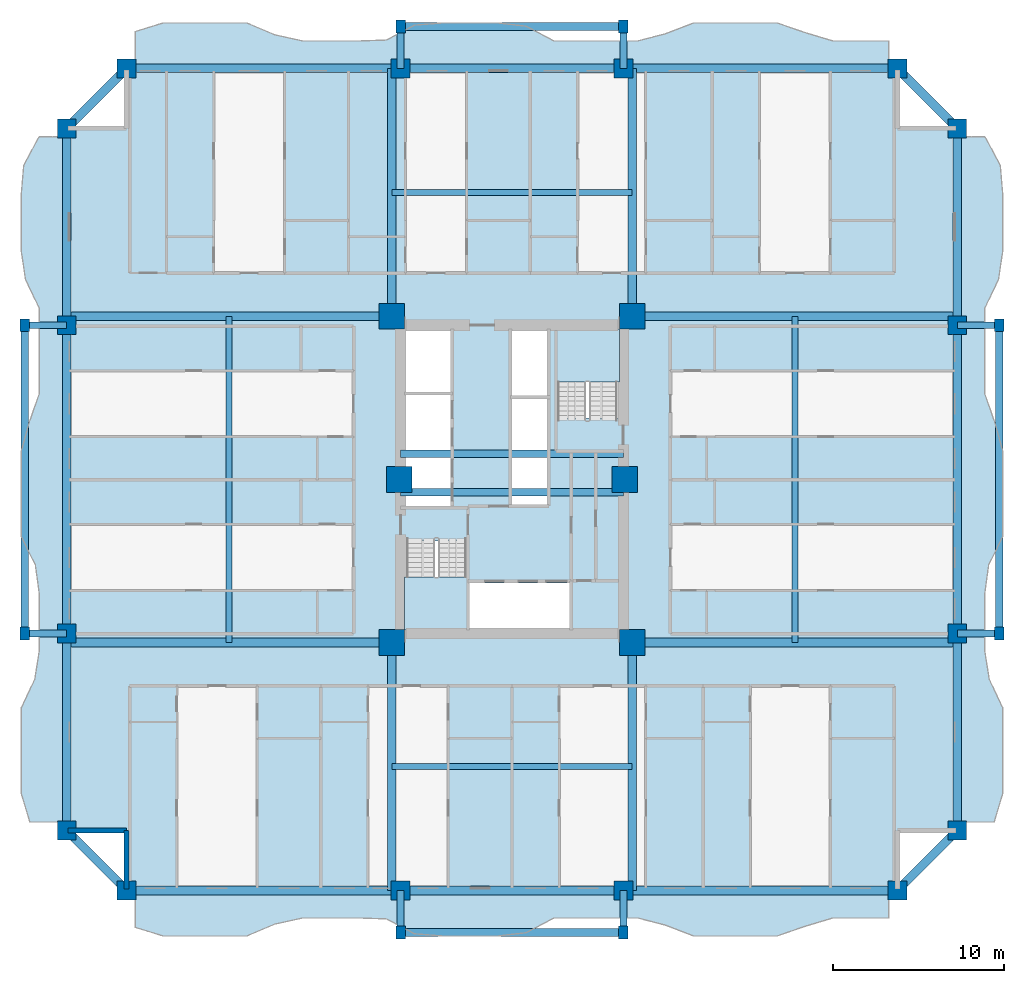
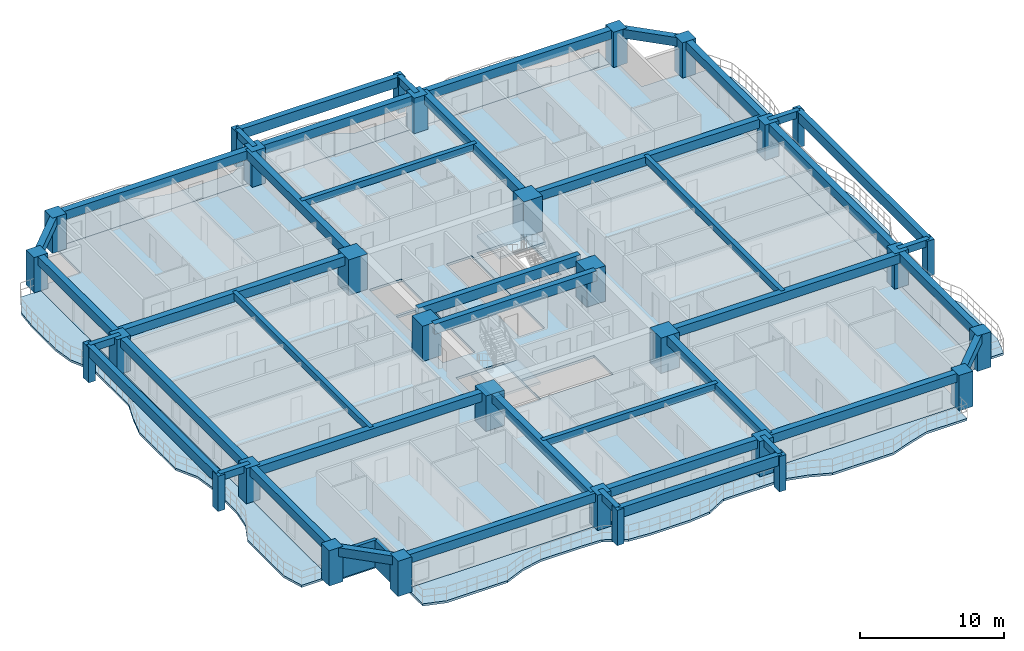
# One storey, part 1 of 16: 42 beams, 30 columns, 7 slabs, 2 walls, 2 elements without a shape of their own.
"""IFC4 building model written with IfcOpenShell, lengths in metres."""

import ifcopenshell
import ifcopenshell.guid

model = None  # the IFC model being written
_history = None  # IfcOwnerHistory: only IFC2X3 demands one
_inside = {}  # id of a spatial element -> (the spatial element, [elements in it])
_under = {}  # id of a project, library or spatial element -> (it, [spatial elements below it])
_declared = {}  # id of a project -> (the project, [libraries it declares])
_typed = {}  # id of a type object -> (the type object, [elements of that type])
_made_of = {}  # id of a material, layer set ... -> (it, [elements and type objects made of it])


def new_model(schema):
    """Start an empty IFC model of exactly this schema.

    Asked for "IFC4X3", IfcOpenShell would pick the latest addendum, in which some entities
    have other attributes; the version numbers below select the first issue.
    IFC2X3 requires an IfcOwnerHistory on every rooted entity: one is made here for all.
    """
    global model, _history
    if schema == "IFC4X3":
        model = ifcopenshell.file(schema_version=(4, 3, 0, 0))
    else:
        model = ifcopenshell.file(schema=schema)
    _inside.clear()
    _under.clear()
    _declared.clear()
    _typed.clear()
    _made_of.clear()
    _history = None
    if model.schema == "IFC2X3":
        org = make("IfcOrganization", Name="unknown")
        user = make(
            "IfcPersonAndOrganization",
            ThePerson=make("IfcPerson", FamilyName="unknown"),
            TheOrganization=org,
        )
        app = make(
            "IfcApplication",
            ApplicationDeveloper=org,
            Version="unknown",
            ApplicationFullName="unknown",
            ApplicationIdentifier="unknown",
        )
        _history = make(
            "IfcOwnerHistory",
            OwningUser=user,
            OwningApplication=app,
            ChangeAction="ADDED",
            CreationDate=0,
        )
    return model


def make(cls, **values):
    """One entity of the class cls with the attributes given. An attribute that is None is left unset."""
    return model.create_entity(
        cls, **{name: value for name, value in values.items() if value is not None}
    )


def rooted(cls, **values):
    """An entity with a GlobalId (a new one), such as an element, a storey or a relation."""
    return make(cls, GlobalId=ifcopenshell.guid.new(), OwnerHistory=_history, **values)


def si_unit(unit_type, name, prefix=None):
    """IfcSIUnit, for example si_unit("LENGTHUNIT", "METRE", prefix="MILLI")."""
    return make("IfcSIUnit", UnitType=unit_type, Prefix=prefix, Name=name)


def assignment(units):
    """IfcUnitAssignment: the units of a project."""
    return None if units is None else make("IfcUnitAssignment", Units=units)


def point(xyz):
    """IfcCartesianPoint."""
    return None if xyz is None else make("IfcCartesianPoint", Coordinates=xyz)


def direction(xyz):
    """IfcDirection."""
    return None if xyz is None else make("IfcDirection", DirectionRatios=xyz)


def frame(location, z_axis=None, x_axis=None):
    """IfcAxis2Placement3D, a coordinate frame: its origin and axes. An axis left out is left unset."""
    return make(
        "IfcAxis2Placement3D",
        Location=point(location),
        Axis=direction(z_axis),
        RefDirection=direction(x_axis),
    )


def frame_2d(location, x_axis=None):
    """IfcAxis2Placement2D, a coordinate frame in the plane: its origin and x axis."""
    return make(
        "IfcAxis2Placement2D", Location=point(location), RefDirection=direction(x_axis)
    )


def origin():
    """The frame at (0, 0, 0) with its axes left unset."""
    return frame((0.0, 0.0, 0.0))


def origin_2d():
    """The frame at (0, 0) in the plane with its x axis left unset."""
    return frame_2d((0.0, 0.0))


def place(relative_to, where):
    """IfcLocalPlacement: puts the frame where relative to a parent placement (None: the world)."""
    return make(
        "IfcLocalPlacement", PlacementRelTo=relative_to, RelativePlacement=where
    )


def context(
    kind, dimensions, precision=None, world=None, true_north=None, identifier=None
):
    """IfcGeometricRepresentationContext, for example the 3D "Model" context."""
    return make(
        "IfcGeometricRepresentationContext",
        ContextIdentifier=identifier,
        ContextType=kind,
        CoordinateSpaceDimension=dimensions,
        Precision=precision,
        WorldCoordinateSystem=world,
        TrueNorth=true_north,
    )


def subcontext(parent, identifier, kind, view, scale=None):
    """IfcGeometricRepresentationSubContext, for example "Body" below "Model"."""
    return make(
        "IfcGeometricRepresentationSubContext",
        ContextIdentifier=identifier,
        ContextType=kind,
        ParentContext=parent,
        TargetScale=scale,
        TargetView=view,
    )


def project(units=None, contexts=None):
    """IfcProject with its units and contexts."""
    return rooted(
        "IfcProject",
        Name="project",
        RepresentationContexts=contexts,
        UnitsInContext=assignment(units),
    )


def spatial(cls, under=None, at=None, **own):
    """A site, building, storey or space (cls), placed at a placement, below another one or the project."""
    s = rooted(cls, ObjectPlacement=at, **own)
    if under is not None:
        _under.setdefault(under.id(), (under, []))[1].append(s)
    return s


def polyline(points):
    """IfcPolyline through the points."""
    return make("IfcPolyline", Points=[point(p) for p in points])


def profile(cls, at=None, kind="AREA", **sizes):
    """A parametric profile (cls). Its sizes go by their IFC names, for example OverallWidth=200.0."""
    return make(cls, ProfileType=kind, Position=at, **sizes)


def rectangle(**sizes):
    """IfcRectangleProfileDef."""
    return profile("IfcRectangleProfileDef", **sizes)


def outline(outer, holes=None, kind="AREA"):
    """IfcArbitraryClosedProfileDef: a profile drawn as a closed curve; with holes, ...WithVoids."""
    if holes is None:
        return make("IfcArbitraryClosedProfileDef", ProfileType=kind, OuterCurve=outer)
    return make(
        "IfcArbitraryProfileDefWithVoids",
        ProfileType=kind,
        OuterCurve=outer,
        InnerCurves=holes,
    )


def extrude(swept, where, along, depth):
    """IfcExtrudedAreaSolid: the profile swept, set in the frame where, extruded along a direction by depth."""
    return make(
        "IfcExtrudedAreaSolid",
        SweptArea=swept,
        Position=where,
        ExtrudedDirection=direction(along),
        Depth=depth,
    )


def shape(context_of_items, identifier, shape_type, items):
    """IfcShapeRepresentation: the items that make up one representation, for example the "Body"."""
    return make(
        "IfcShapeRepresentation",
        ContextOfItems=context_of_items,
        RepresentationIdentifier=identifier,
        RepresentationType=shape_type,
        Items=items,
    )


def source(mapping_origin, context_of_items, identifier, shape_type, items):
    """IfcRepresentationMap: a shape defined once, which mapped items show again and again."""
    return make(
        "IfcRepresentationMap",
        MappingOrigin=mapping_origin,
        MappedRepresentation=shape(context_of_items, identifier, shape_type, items),
    )


def transform(
    local_origin,
    x_axis=None,
    y_axis=None,
    z_axis=None,
    scale=None,
    scale2=None,
    scale3=None,
    uniform=True,
):
    """IfcCartesianTransformationOperator3D, or its non-uniform kind. x_axis, y_axis, z_axis: its Axis1, 2, 3."""
    if uniform:
        return make(
            "IfcCartesianTransformationOperator3D",
            Axis1=direction(x_axis),
            Axis2=direction(y_axis),
            LocalOrigin=point(local_origin),
            Scale=scale,
            Axis3=direction(z_axis),
        )
    return make(
        "IfcCartesianTransformationOperator3DnonUniform",
        Axis1=direction(x_axis),
        Axis2=direction(y_axis),
        LocalOrigin=point(local_origin),
        Scale=scale,
        Axis3=direction(z_axis),
        Scale2=scale2,
        Scale3=scale3,
    )


def mapped(mapping_source, mapping_target):
    """IfcMappedItem: shows the shape of a source again, moved by a transform."""
    return make(
        "IfcMappedItem", MappingSource=mapping_source, MappingTarget=mapping_target
    )


def material(Name=None, Category=None):
    """IfcMaterial."""
    return make("IfcMaterial", Name=Name, Category=Category)


def layer(
    of_material, thickness, ventilated=None, Name=None, Category=None, Priority=None
):
    """IfcMaterialLayer: one layer of a wall or slab, of a material (None: an air gap)."""
    return make(
        "IfcMaterialLayer",
        Material=of_material,
        LayerThickness=thickness,
        IsVentilated=ventilated,
        Name=Name,
        Category=Category,
        Priority=Priority,
    )


def layer_set(layers, Name=None):
    """IfcMaterialLayerSet."""
    return make("IfcMaterialLayerSet", MaterialLayers=layers, LayerSetName=Name)


def material_profile(
    of_material, cross_section, Name=None, Category=None, Priority=None
):
    """IfcMaterialProfile: a cross section and its material."""
    return make(
        "IfcMaterialProfile",
        Name=Name,
        Material=of_material,
        Profile=cross_section,
        Priority=Priority,
        Category=Category,
    )


def profile_set(profiles, Name=None, composite=None):
    """IfcMaterialProfileSet."""
    return make(
        "IfcMaterialProfileSet",
        Name=Name,
        MaterialProfiles=profiles,
        CompositeProfile=composite,
    )


def made_of(thing, what):
    """Note that an element or type object is made of a material, layer set ...; save() writes the relation."""
    if what is not None:
        _made_of.setdefault(what.id(), (what, []))[1].append(thing)
    return thing


def type_object(cls, material=None, **own):
    """A type object (cls), such as IfcWallType, which elements share."""
    return made_of(rooted(cls, **own), material)


def element(
    cls,
    number,
    at=None,
    inside=None,
    cuts=None,
    type_object=None,
    material=None,
    context=None,
    identifier="Body",
    shape_type=None,
    held_by="IfcProductDefinitionShape",
    body=None,
    shapes=None,
    **own,
):
    """One element of the class cls, such as IfcWall. Its Tag is "e" and its number.

    at: its placement. inside: the storey or other place that contains it. cuts: it is an
    opening in that element (IfcRelVoidsElement). A single representation is given by context,
    identifier, shape_type and body (its items); several are given by shapes. held_by: the class
    of the entity that holds the representations. save() writes the other relations.
    """
    e = rooted(cls, Tag="e%d" % number, ObjectPlacement=at, **own)
    if body is not None:
        shapes = [shape(context, identifier, shape_type, body)]
    if shapes is not None:
        e.Representation = make(held_by, Representations=shapes)
    if inside is not None:
        _inside.setdefault(inside.id(), (inside, []))[1].append(e)
    if cuts is not None:
        rooted(
            "IfcRelVoidsElement", RelatingBuildingElement=cuts, RelatedOpeningElement=e
        )
    if type_object is not None:
        _typed.setdefault(type_object.id(), (type_object, []))[1].append(e)
    return made_of(e, material)


def aggregate(whole, parts):
    """IfcRelAggregates: a whole, such as a stair, and the parts it consists of."""
    return rooted("IfcRelAggregates", RelatingObject=whole, RelatedObjects=parts)


def save(model, path):
    """Write the relations noted so far, then the file.

    IfcRelAggregates (storeys below a building ...), IfcRelContainedInSpatialStructure (elements
    in a storey), IfcRelDefinesByType, IfcRelAssociatesMaterial and IfcRelDeclares: one each for
    every whole, place, type object, material and project.
    """
    for whole, parts in _under.values():
        aggregate(whole, parts)
    for where, things in _inside.values():
        rooted(
            "IfcRelContainedInSpatialStructure",
            RelatedElements=things,
            RelatingStructure=where,
        )
    for kind, things in _typed.values():
        rooted("IfcRelDefinesByType", RelatedObjects=things, RelatingType=kind)
    for what, things in _made_of.values():
        rooted("IfcRelAssociatesMaterial", RelatedObjects=things, RelatingMaterial=what)
    for by, libraries in _declared.values():
        rooted("IfcRelDeclares", RelatingContext=by, RelatedDefinitions=libraries)
    model.write(path)


model = new_model("IFC4")

# Units and contexts
model_context = context("Model", 3, precision=1e-05, world=origin(), true_north=direction((0.0, 1.0)))
body_context = subcontext(model_context, "Body", "Model", "MODEL_VIEW")
ifc_project = project(units=[si_unit("LENGTHUNIT", "METRE"), si_unit("AREAUNIT", "SQUARE_METRE"), si_unit("VOLUMEUNIT", "CUBIC_METRE"), si_unit("PLANEANGLEUNIT", "RADIAN"), si_unit("MASSUNIT", "GRAM", prefix="KILO")], contexts=[model_context])

# Site, building, storey
site_placement = place(None, origin())
site = spatial("IfcSite", under=ifc_project, at=site_placement, CompositionType="ELEMENT")
building_placement = place(site_placement, origin())
building = spatial("IfcBuilding", under=site, at=building_placement, Name="Saelheon Loggia Tower", CompositionType="ELEMENT")
storey_placement = place(building_placement, frame((0.0, 0.0, 64.39990234375)))
storey = spatial("IfcBuildingStorey", under=building, at=storey_placement, Name="L20", CompositionType="ELEMENT", Elevation=64.39990234375)

# Columns
ifc_material_1 = material(Name="Concrete C60/75", Category="concrete")
ifc_material_profile_1 = material_profile(ifc_material_1, rectangle(XDim=1.5, YDim=1.5, at=origin_2d()), Name="RC-1500x1500")
ifc_profile_set_1 = profile_set([ifc_material_profile_1], Name="Concrete C60/75")
column_type_1 = type_object("IfcColumnType", Name="Col_Core_RC1500", PredefinedType="COLUMN", material=ifc_profile_set_1)
shared_shape_1 = source(origin(), body_context, "Body", "SweptSolid", [
    extrude(rectangle(XDim=1.5, YDim=1.5, at=origin_2d()), origin(), (0.0, 0.0, 1.0), 3.0),
])
for number, where, z_axis, x_axis, name in (
    (1, (30.97998046875, 17.47998046875, 0.0), (0.0, 0.0, 1.0), (1.0, 0.0, 0.0), "L20 Core Column CR-SW"),
    (2, (45.02001953125, 17.47998046875, 0.0), (0.0, 0.0, 1.0), (1.0, 0.0, 0.0), "L20 Core Column CR-SE"),
    (3, (30.97998046875, 36.52001953125, 0.0), (0.0, 0.0, 1.0), (1.0, 0.0, 0.0), "L20 Core Column CR-NW"),
    (4, (45.02001953125, 36.52001953125, 0.0), (0.0, 0.0, 1.0), (1.0, 0.0, 0.0), "L20 Core Column CR-NE"),
    (5, (31.419921875, 27.0, 0.0), (0.0, 0.0, 1.0), (1.0, 0.0, 0.0), "L20 Core Column CR-MW"),
    (6, (44.580078125, 27.0, 0.0), (0.0, 0.0, 1.0), (1.0, 0.0, 0.0), "L20 Core Column CR-ME"),
):
    element("IfcColumn", number, at=place(storey_placement, frame(where, z_axis=z_axis, x_axis=x_axis)), inside=storey, type_object=column_type_1, Name=name, PredefinedType="COLUMN", context=body_context, shape_type="MappedRepresentation", body=[
        mapped(shared_shape_1, transform((0.0, 0.0, 0.0), scale=1.0)),
    ])
ifc_material_2 = material(Name="Concrete C50/60", Category="concrete")
ifc_material_profile_2 = material_profile(ifc_material_2, rectangle(XDim=1.10009765625, YDim=1.10009765625, at=origin_2d()), Name="RC-1100x1100")
ifc_profile_set_2 = profile_set([ifc_material_profile_2], Name="Concrete C50/60")
column_type_2 = type_object("IfcColumnType", Name="Col_PerimExt_RC1100", PredefinedType="COLUMN", material=ifc_profile_set_2)
shared_shape_2 = source(origin(), body_context, "Body", "SweptSolid", [
    extrude(rectangle(XDim=1.10009765625, YDim=1.10009765625, at=origin_2d()), origin(), (0.0, 0.0, 1.0), 3.0),
])
for number, where, z_axis, x_axis, name in (
    (7, (15.5, 3.0, 0.0), (0.0, 0.0, 1.0), (1.0, 0.0, 0.0), "L20 Perimeter Column TP-S1"),
    (8, (31.5, 3.0, 0.0), (0.0, 0.0, 1.0), (1.0, 0.0, 0.0), "L20 Perimeter Column TP-SA"),
    (9, (44.5, 3.0, 0.0), (0.0, 0.0, 1.0), (1.0, 0.0, 0.0), "L20 Perimeter Column TP-SB"),
    (10, (60.5, 3.0, 0.0), (0.0, 0.0, 1.0), (1.0, 0.0, 0.0), "L20 Perimeter Column TP-S2"),
    (11, (64.0, 6.5, 0.0), (0.0, 0.0, 1.0), (1.0, 0.0, 0.0), "L20 Perimeter Column TP-E1"),
    (12, (64.0, 18.0, 0.0), (0.0, 0.0, 1.0), (1.0, 0.0, 0.0), "L20 Perimeter Column TP-EA"),
    (13, (64.0, 36.0, 0.0), (0.0, 0.0, 1.0), (1.0, 0.0, 0.0), "L20 Perimeter Column TP-EB"),
    (14, (64.0, 47.5, 0.0), (0.0, 0.0, 1.0), (1.0, 0.0, 0.0), "L20 Perimeter Column TP-E2"),
    (15, (60.5, 51.0, 0.0), (0.0, 0.0, 1.0), (1.0, 0.0, 0.0), "L20 Perimeter Column TP-N2"),
    (16, (44.5, 51.0, 0.0), (0.0, 0.0, 1.0), (1.0, 0.0, 0.0), "L20 Perimeter Column TP-NB"),
    (17, (31.5, 51.0, 0.0), (0.0, 0.0, 1.0), (1.0, 0.0, 0.0), "L20 Perimeter Column TP-NA"),
    (18, (15.5, 51.0, 0.0), (0.0, 0.0, 1.0), (1.0, 0.0, 0.0), "L20 Perimeter Column TP-N1"),
    (19, (12.0, 47.5, 0.0), (0.0, 0.0, 1.0), (1.0, 0.0, 0.0), "L20 Perimeter Column TP-W2"),
    (20, (12.0, 36.0, 0.0), (0.0, 0.0, 1.0), (1.0, 0.0, 0.0), "L20 Perimeter Column TP-WB"),
    (21, (12.0, 18.0, 0.0), (0.0, 0.0, 1.0), (1.0, 0.0, 0.0), "L20 Perimeter Column TP-WA"),
    (22, (12.0, 6.5, 0.0), (0.0, 0.0, 1.0), (1.0, 0.0, 0.0), "L20 Perimeter Column TP-W1"),
):
    element("IfcColumn", number, at=place(storey_placement, frame(where, z_axis=z_axis, x_axis=x_axis)), inside=storey, type_object=column_type_2, Name=name, PredefinedType="COLUMN", context=body_context, shape_type="MappedRepresentation", body=[
        mapped(shared_shape_2, transform((0.0, 0.0, 0.0), scale=1.0)),
    ])
ifc_material_3 = material(Name="Precast Concrete C45/55", Category="concrete")
ifc_material_profile_3 = material_profile(ifc_material_3, rectangle(XDim=0.550048828125, YDim=0.75, at=origin_2d()), Name="RC-550x750")
ifc_profile_set_3 = profile_set([ifc_material_profile_3], Name="Precast Concrete C45/55")
column_type_3 = type_object("IfcColumnType", Name="Col_Loggia_Pilaster_750", PredefinedType="PILASTER", material=ifc_profile_set_3)
shared_shape_3 = source(origin(), body_context, "Body", "SweptSolid", [
    extrude(rectangle(XDim=0.550048828125, YDim=0.75, at=origin_2d()), origin(), (0.0, 0.0, 1.0), 3.0),
])
for number, where, z_axis, x_axis, name in (
    (23, (31.5, 0.550048828125, 0.0), (0.0, 0.0, 1.0), (1.0, 0.0, 0.0), "L20 Loggia Frame Pilaster LP-S1"),
    (24, (44.5, 0.550048828125, 0.0), (0.0, 0.0, 1.0), (1.0, 0.0, 0.0), "L20 Loggia Frame Pilaster LP-S2"),
    (25, (31.5, 53.449951171875, 0.0), (0.0, 0.0, 1.0), (1.0, 0.0, 0.0), "L20 Loggia Frame Pilaster LP-N1"),
    (26, (44.5, 53.449951171875, 0.0), (0.0, 0.0, 1.0), (1.0, 0.0, 0.0), "L20 Loggia Frame Pilaster LP-N2"),
    (27, (66.449951171875, 18.0, 0.0), (0.0, 0.0, 1.0), (1.0, 0.0, 0.0), "L20 Loggia Frame Pilaster LP-E1"),
    (28, (66.449951171875, 36.0, 0.0), (0.0, 0.0, 1.0), (1.0, 0.0, 0.0), "L20 Loggia Frame Pilaster LP-E2"),
    (29, (9.550048828125, 18.0, 0.0), (0.0, 0.0, 1.0), (1.0, 0.0, 0.0), "L20 Loggia Frame Pilaster LP-W1"),
    (30, (9.550048828125, 36.0, 0.0), (0.0, 0.0, 1.0), (1.0, 0.0, 0.0), "L20 Loggia Frame Pilaster LP-W2"),
):
    element("IfcColumn", number, at=place(storey_placement, frame(where, z_axis=z_axis, x_axis=x_axis)), inside=storey, type_object=column_type_3, Name=name, PredefinedType="PILASTER", context=body_context, shape_type="MappedRepresentation", body=[
        mapped(shared_shape_3, transform((0.0, 0.0, 0.0), scale=1.0)),
    ])

# Beams
ifc_material_profile_4 = material_profile(ifc_material_2, rectangle(XDim=0.449951171875, YDim=0.85009765625, at=origin_2d()), Name="RC-450x850")
ifc_profile_set_4 = profile_set([ifc_material_profile_4], Name="Concrete C50/60")
beam_type_1 = type_object("IfcBeamType", Name="Beam_CoreLintel_RC450x850", PredefinedType="LINTEL", material=ifc_profile_set_4)
shared_shape_4 = source(origin(), body_context, "Body", "SweptSolid", [
    extrude(rectangle(XDim=0.449951171875, YDim=0.85009765625, at=origin_2d()), origin(), (0.0, 0.0, 1.0), 13.0),
])
for number, where, z_axis, x_axis, name in (
    (31, (31.5, 26.25, 2.5751953125), (1.0, 0.0, 0.0), (0.0, 1.0, 0.0), "L20 Core Coupling Lintel 1"),
    (32, (31.5, 28.5, 2.5751953125), (1.0, 0.0, 0.0), (0.0, 1.0, 0.0), "L20 Core Coupling Lintel 2"),
):
    element("IfcBeam", number, at=place(storey_placement, frame(where, z_axis=z_axis, x_axis=x_axis)), inside=storey, type_object=beam_type_1, Name=name, PredefinedType="LINTEL", context=body_context, shape_type="MappedRepresentation", body=[
        mapped(shared_shape_4, transform((0.0, 0.0, 0.0), scale=1.0)),
    ])
ifc_material_profile_5 = material_profile(ifc_material_3, rectangle(XDim=0.449951171875, YDim=0.85009765625, at=origin_2d()), Name="RC-450x850")
ifc_profile_set_5 = profile_set([ifc_material_profile_5], Name="Precast Concrete C45/55")
beam_type_2 = type_object("IfcBeamType", Name="Beam_LoggiaSpandrel_RC450x850", PredefinedType="SPANDREL", material=ifc_profile_set_5)
for number, where, z_axis, x_axis, name in (
    (33, (31.5, 0.550048828125, 2.5751953125), (1.0, 0.0, 0.0), (0.0, 1.0, 0.0), "L20 Loggia Spandrel Beam S"),
    (34, (31.5, 53.449951171875, 2.5751953125), (1.0, 0.0, 0.0), (0.0, 1.0, 0.0), "L20 Loggia Spandrel Beam N"),
):
    element("IfcBeam", number, at=place(storey_placement, frame(where, z_axis=z_axis, x_axis=x_axis)), inside=storey, type_object=beam_type_2, Name=name, PredefinedType="SPANDREL", context=body_context, shape_type="MappedRepresentation", body=[
        mapped(shared_shape_4, transform((0.0, 0.0, 0.0), scale=1.0)),
    ])
ifc_material_4 = material(Name="Concrete C45/55", Category="concrete")
ifc_material_profile_6 = material_profile(ifc_material_4, rectangle(XDim=0.5, YDim=0.75, at=origin_2d()), Name="RC-500x750")
ifc_profile_set_6 = profile_set([ifc_material_profile_6], Name="Concrete C45/55")
beam_type_3 = type_object("IfcBeamType", Name="Beam_FloorGirder_RC500x750", PredefinedType="BEAM", material=ifc_profile_set_6)
shared_shape_5 = source(origin(), body_context, "Body", "SweptSolid", [
    extrude(rectangle(XDim=0.5, YDim=0.75, at=origin_2d()), origin(), (0.0, 0.0, 1.0), 14.47998046875),
])
for number, where, z_axis, x_axis, name in (
    (35, (30.97998046875, 17.47998046875, 2.625), (0.0, -1.0, 0.0), (1.0, 0.0, 0.0), "L20 Radial Floor Girder RAD-SW-S"),
    (36, (45.02001953125, 17.47998046875, 2.625), (0.0, -1.0, 0.0), (1.0, 0.0, 0.0), "L20 Radial Floor Girder RAD-SE-S"),
    (37, (30.97998046875, 36.52001953125, 2.625), (0.0, 1.0, 0.0), (-1.0, 0.0, 0.0), "L20 Radial Floor Girder RAD-NW-N"),
    (38, (45.02001953125, 36.52001953125, 2.625), (0.0, 1.0, 0.0), (-1.0, 0.0, 0.0), "L20 Radial Floor Girder RAD-NE-N"),
):
    element("IfcBeam", number, at=place(storey_placement, frame(where, z_axis=z_axis, x_axis=x_axis)), inside=storey, type_object=beam_type_3, Name=name, PredefinedType="BEAM", context=body_context, shape_type="MappedRepresentation", body=[
        mapped(shared_shape_5, transform((0.0, 0.0, 0.0), scale=1.0)),
    ])
ifc_material_profile_7 = material_profile(ifc_material_4, rectangle(XDim=0.5, YDim=0.75, at=origin_2d()), Name="RC-500x750")
ifc_profile_set_7 = profile_set([ifc_material_profile_7], Name="Concrete C45/55")
beam_type_4 = type_object("IfcBeamType", Name="Beam_PerimGirder_RC500x750", PredefinedType="BEAM", material=ifc_profile_set_7)
shared_shape_6 = source(origin(), body_context, "Body", "SweptSolid", [
    extrude(rectangle(XDim=0.5, YDim=0.75, at=origin_2d()), origin(), (0.0, 0.0, 1.0), 16.0),
])
for number, where, z_axis, x_axis, name in (
    (39, (15.5, 3.0, 2.625), (1.0, 0.0, 0.0), (0.0, 1.0, 0.0), "L20 Perimeter Frame Girder 01"),
    (40, (44.5, 3.0, 2.625), (1.0, 0.0, 0.0), (0.0, 1.0, 0.0), "L20 Perimeter Frame Girder 03"),
    (41, (60.5, 51.0, 2.625), (-1.0, 0.0, 0.0), (0.0, -1.0, 0.0), "L20 Perimeter Frame Girder 09"),
    (42, (31.5, 51.0, 2.625), (-1.0, 0.0, 0.0), (0.0, -1.0, 0.0), "L20 Perimeter Frame Girder 11"),
):
    element("IfcBeam", number, at=place(storey_placement, frame(where, z_axis=z_axis, x_axis=x_axis)), inside=storey, type_object=beam_type_4, Name=name, PredefinedType="BEAM", context=body_context, shape_type="MappedRepresentation", body=[
        mapped(shared_shape_6, transform((0.0, 0.0, 0.0), scale=1.0)),
    ])
shared_shape_7 = source(origin(), body_context, "Body", "SweptSolid", [
    extrude(rectangle(XDim=0.5, YDim=0.75, at=origin_2d()), origin(), (0.0, 0.0, 1.0), 13.0),
])
for number, where, z_axis, x_axis, name in (
    (43, (31.5, 3.0, 2.625), (1.0, 0.0, 0.0), (0.0, 1.0, 0.0), "L20 Perimeter Frame Girder 02"),
    (44, (44.5, 51.0, 2.625), (-1.0, 0.0, 0.0), (0.0, -1.0, 0.0), "L20 Perimeter Frame Girder 10"),
):
    element("IfcBeam", number, at=place(storey_placement, frame(where, z_axis=z_axis, x_axis=x_axis)), inside=storey, type_object=beam_type_4, Name=name, PredefinedType="BEAM", context=body_context, shape_type="MappedRepresentation", body=[
        mapped(shared_shape_7, transform((0.0, 0.0, 0.0), scale=1.0)),
    ])
shared_shape_8 = source(origin(), body_context, "Body", "SweptSolid", [
    extrude(rectangle(XDim=0.5, YDim=0.75, at=origin_2d()), origin(), (0.0, 0.0, 1.0), 4.94970703125),
])
for number, where, z_axis, x_axis, name in (
    (45, (60.5, 3.0, 2.625), (0.707106781187, 0.707106781187, 0.0), (-0.707106781187, 0.707106781187, 0.0), "L20 Perimeter Frame Girder 04"),
    (46, (64.0, 47.5, 2.625), (-0.707106781187, 0.707106781187, 0.0), (-0.707106781187, -0.707106781187, 0.0), "L20 Perimeter Frame Girder 08"),
    (47, (15.5, 51.0, 2.625), (-0.707106781187, -0.707106781187, 0.0), (0.707106781187, -0.707106781187, 0.0), "L20 Perimeter Frame Girder 12"),
    (48, (12.0, 6.5, 2.625), (0.707106781187, -0.707106781187, 0.0), (0.707106781187, 0.707106781187, 0.0), "L20 Perimeter Frame Girder 16"),
):
    element("IfcBeam", number, at=place(storey_placement, frame(where, z_axis=z_axis, x_axis=x_axis)), inside=storey, type_object=beam_type_4, Name=name, PredefinedType="BEAM", context=body_context, shape_type="MappedRepresentation", body=[
        mapped(shared_shape_8, transform((0.0, 0.0, 0.0), scale=1.0)),
    ])
shared_shape_9 = source(origin(), body_context, "Body", "SweptSolid", [
    extrude(rectangle(XDim=0.5, YDim=0.75, at=origin_2d()), origin(), (0.0, 0.0, 1.0), 11.5),
])
for number, where, z_axis, x_axis, name in (
    (49, (64.0, 6.5, 2.625), (0.0, 1.0, 0.0), (-1.0, 0.0, 0.0), "L20 Perimeter Frame Girder 05"),
    (50, (64.0, 36.0, 2.625), (0.0, 1.0, 0.0), (-1.0, 0.0, 0.0), "L20 Perimeter Frame Girder 07"),
    (51, (12.0, 47.5, 2.625), (0.0, -1.0, 0.0), (1.0, 0.0, 0.0), "L20 Perimeter Frame Girder 13"),
    (52, (12.0, 18.0, 2.625), (0.0, -1.0, 0.0), (1.0, 0.0, 0.0), "L20 Perimeter Frame Girder 15"),
):
    element("IfcBeam", number, at=place(storey_placement, frame(where, z_axis=z_axis, x_axis=x_axis)), inside=storey, type_object=beam_type_4, Name=name, PredefinedType="BEAM", context=body_context, shape_type="MappedRepresentation", body=[
        mapped(shared_shape_9, transform((0.0, 0.0, 0.0), scale=1.0)),
    ])
shared_shape_10 = source(origin(), body_context, "Body", "SweptSolid", [
    extrude(rectangle(XDim=0.5, YDim=0.75, at=origin_2d()), origin(), (0.0, 0.0, 1.0), 18.0),
])
for number, where, z_axis, x_axis, name in (
    (53, (64.0, 18.0, 2.625), (0.0, 1.0, 0.0), (-1.0, 0.0, 0.0), "L20 Perimeter Frame Girder 06"),
    (54, (12.0, 36.0, 2.625), (0.0, -1.0, 0.0), (1.0, 0.0, 0.0), "L20 Perimeter Frame Girder 14"),
):
    element("IfcBeam", number, at=place(storey_placement, frame(where, z_axis=z_axis, x_axis=x_axis)), inside=storey, type_object=beam_type_4, Name=name, PredefinedType="BEAM", context=body_context, shape_type="MappedRepresentation", body=[
        mapped(shared_shape_10, transform((0.0, 0.0, 0.0), scale=1.0)),
    ])
shared_shape_11 = source(origin(), body_context, "Body", "SweptSolid", [
    extrude(rectangle(XDim=0.5, YDim=0.75, at=origin_2d()), origin(), (0.0, 0.0, 1.0), 18.97998046875),
])
for number, where, z_axis, x_axis, name in (
    (55, (30.97998046875, 17.47998046875, 2.625), (-1.0, 0.0, 0.0), (0.0, -1.0, 0.0), "L20 Radial Floor Girder RAD-SW-W"),
    (56, (30.97998046875, 36.52001953125, 2.625), (-1.0, 0.0, 0.0), (0.0, -1.0, 0.0), "L20 Radial Floor Girder RAD-NW-W"),
    (57, (45.02001953125, 17.47998046875, 2.625), (1.0, 0.0, 0.0), (0.0, 1.0, 0.0), "L20 Radial Floor Girder RAD-SE-E"),
    (58, (45.02001953125, 36.52001953125, 2.625), (1.0, 0.0, 0.0), (0.0, 1.0, 0.0), "L20 Radial Floor Girder RAD-NE-E"),
):
    element("IfcBeam", number, at=place(storey_placement, frame(where, z_axis=z_axis, x_axis=x_axis)), inside=storey, type_object=beam_type_3, Name=name, PredefinedType="BEAM", context=body_context, shape_type="MappedRepresentation", body=[
        mapped(shared_shape_11, transform((0.0, 0.0, 0.0), scale=1.0)),
    ])
ifc_material_5 = material(Name="Concrete C40/50", Category="concrete")
ifc_material_profile_8 = material_profile(ifc_material_5, rectangle(XDim=0.35009765625, YDim=0.550048828125, at=origin_2d()), Name="RC-350x550")
ifc_profile_set_8 = profile_set([ifc_material_profile_8], Name="Concrete C40/50")
beam_type_5 = type_object("IfcBeamType", Name="Beam_Joist_RC350x550", PredefinedType="JOIST", material=ifc_profile_set_8)
shared_shape_12 = source(origin(), body_context, "Body", "SweptSolid", [
    extrude(rectangle(XDim=0.35009765625, YDim=0.550048828125, at=origin_2d()), origin(), (0.0, 0.0, 1.0), 14.0400390625),
])
for number, where, z_axis, x_axis, name in (
    (59, (30.97998046875, 10.239990234375, 2.72509765625), (1.0, 0.0, 0.0), (0.0, 1.0, 0.0), "L20 South Floor Joist"),
    (60, (30.97998046875, 43.760009765625, 2.72509765625), (1.0, 0.0, 0.0), (0.0, 1.0, 0.0), "L20 North Floor Joist"),
):
    element("IfcBeam", number, at=place(storey_placement, frame(where, z_axis=z_axis, x_axis=x_axis)), inside=storey, type_object=beam_type_5, Name=name, PredefinedType="JOIST", context=body_context, shape_type="MappedRepresentation", body=[
        mapped(shared_shape_12, transform((0.0, 0.0, 0.0), scale=1.0)),
    ])
shared_shape_13 = source(origin(), body_context, "Body", "SweptSolid", [
    extrude(rectangle(XDim=0.35009765625, YDim=0.550048828125, at=origin_2d()), origin(), (0.0, 0.0, 1.0), 19.0400390625),
])
for number, where, z_axis, x_axis, name in (
    (61, (21.489990234375, 17.47998046875, 2.72509765625), (0.0, 1.0, 0.0), (-1.0, 0.0, 0.0), "L20 West Floor Joist"),
    (62, (54.510009765625, 17.47998046875, 2.72509765625), (0.0, 1.0, 0.0), (-1.0, 0.0, 0.0), "L20 East Floor Joist"),
):
    element("IfcBeam", number, at=place(storey_placement, frame(where, z_axis=z_axis, x_axis=x_axis)), inside=storey, type_object=beam_type_5, Name=name, PredefinedType="JOIST", context=body_context, shape_type="MappedRepresentation", body=[
        mapped(shared_shape_13, transform((0.0, 0.0, 0.0), scale=1.0)),
    ])
ifc_material_profile_9 = material_profile(ifc_material_3, rectangle(XDim=0.39990234375, YDim=0.60009765625, at=origin_2d()), Name="RC-400x600")
ifc_profile_set_9 = profile_set([ifc_material_profile_9], Name="Precast Concrete C45/55")
beam_type_6 = type_object("IfcBeamType", Name="Beam_LoggiaTie_RC400x600", PredefinedType="BEAM", material=ifc_profile_set_9)
shared_shape_14 = source(origin(), body_context, "Body", "SweptSolid", [
    extrude(rectangle(XDim=0.39990234375, YDim=0.60009765625, at=origin_2d()), origin(), (0.0, 0.0, 1.0), 2.449951171875),
])
for number, where, z_axis, x_axis, name in (
    (63, (31.5, 3.0, 2.7001953125), (0.0, -1.0, 0.0), (1.0, 0.0, 0.0), "L20 Loggia Frame Tie Beam LP-S1"),
    (64, (44.5, 3.0, 2.7001953125), (0.0, -1.0, 0.0), (1.0, 0.0, 0.0), "L20 Loggia Frame Tie Beam LP-S2"),
    (65, (31.5, 51.0, 2.7001953125), (0.0, 1.0, 0.0), (-1.0, 0.0, 0.0), "L20 Loggia Frame Tie Beam LP-N1"),
    (66, (44.5, 51.0, 2.7001953125), (0.0, 1.0, 0.0), (-1.0, 0.0, 0.0), "L20 Loggia Frame Tie Beam LP-N2"),
    (67, (64.0, 18.0, 2.7001953125), (1.0, 0.0, 0.0), (0.0, 1.0, 0.0), "L20 Loggia Frame Tie Beam LP-E1"),
    (68, (64.0, 36.0, 2.7001953125), (1.0, 0.0, 0.0), (0.0, 1.0, 0.0), "L20 Loggia Frame Tie Beam LP-E2"),
    (69, (12.0, 18.0, 2.7001953125), (-1.0, 0.0, 0.0), (0.0, -1.0, 0.0), "L20 Loggia Frame Tie Beam LP-W1"),
    (70, (12.0, 36.0, 2.7001953125), (-1.0, 0.0, 0.0), (0.0, -1.0, 0.0), "L20 Loggia Frame Tie Beam LP-W2"),
):
    element("IfcBeam", number, at=place(storey_placement, frame(where, z_axis=z_axis, x_axis=x_axis)), inside=storey, type_object=beam_type_6, Name=name, PredefinedType="BEAM", context=body_context, shape_type="MappedRepresentation", body=[
        mapped(shared_shape_14, transform((0.0, 0.0, 0.0), scale=1.0)),
    ])
shared_shape_15 = source(origin(), body_context, "Body", "SweptSolid", [
    extrude(rectangle(XDim=0.449951171875, YDim=0.85009765625, at=origin_2d()), origin(), (0.0, 0.0, 1.0), 18.0),
])
for number, where, z_axis, x_axis, name in (
    (71, (66.449951171875, 18.0, 2.5751953125), (0.0, 1.0, 0.0), (-1.0, 0.0, 0.0), "L20 Loggia Spandrel Beam E"),
    (72, (9.550048828125, 18.0, 2.5751953125), (0.0, 1.0, 0.0), (-1.0, 0.0, 0.0), "L20 Loggia Spandrel Beam W"),
):
    element("IfcBeam", number, at=place(storey_placement, frame(where, z_axis=z_axis, x_axis=x_axis)), inside=storey, type_object=beam_type_2, Name=name, PredefinedType="SPANDREL", context=body_context, shape_type="MappedRepresentation", body=[
        mapped(shared_shape_15, transform((0.0, 0.0, 0.0), scale=1.0)),
    ])

# Slabs
ifc_layer_1 = layer(ifc_material_3, 0.18994140625)
ifc_layer_set_1 = layer_set([ifc_layer_1], Name="Precast Concrete C45/55")
slab_type_1 = type_object("IfcSlabType", Name="Slab_Loggia_Ext_190", PredefinedType="FLOOR", material=ifc_layer_set_1)
slab_1_placement = place(storey_placement, frame((0.0, 0.0, -0.18994140625)))
element("IfcSlab", 73, at=slab_1_placement, inside=storey, type_object=slab_type_1, Name="L20 Loggia Balcony Slab S", PredefinedType="FLOOR", context=body_context, shape_type="SweptSolid", body=[
    extrude(outline(polyline([(16.0, 0.85009765625), (17.629638671875, 0.35009765625), (19.25927734375, 0.35009765625), (20.888916015625, 0.35009765625), (22.5185546875, 0.35009765625), (24.148193359375, 1.038818359375), (25.77783203125, 1.39990234375), (27.407470703125, 1.39990234375), (29.037109375, 1.39990234375), (30.666748046875, 1.345703125), (32.29638671875, 0.476318359375), (33.92578125, 0.35009765625), (35.5556640625, 0.35009765625), (37.185302734375, 0.35009765625), (38.814697265625, 0.534912109375), (40.4443359375, 1.39990234375), (42.07421875, 1.39990234375), (43.70361328125, 1.39990234375), (45.333251953125, 1.39990234375), (46.962890625, 0.978759765625), (48.592529296875, 0.35009765625), (50.22216796875, 0.35009765625), (51.851806640625, 0.35009765625), (53.4814453125, 0.35009765625), (55.111083984375, 0.910400390625), (56.74072265625, 1.39990234375), (58.370361328125, 1.39990234375), (60.0, 1.39990234375), (60.0, 3.0), (16.0, 3.0), (16.0, 0.85009765625)])), origin(), (0.0, 0.0, 1.0), 0.18994140625),
])
slab_2_placement = place(storey_placement, frame((0.0, 0.0, -0.18994140625)))
element("IfcSlab", 74, at=slab_2_placement, inside=storey, type_object=slab_type_1, Name="L20 Loggia Balcony Slab N", PredefinedType="FLOOR", context=body_context, shape_type="SweptSolid", body=[
    extrude(outline(polyline([(16.0, 51.0), (60.0, 51.0), (60.0, 52.60009765625), (58.370361328125, 52.60009765625), (56.74072265625, 52.60009765625), (55.111083984375, 53.089599609375), (53.4814453125, 53.64990234375), (51.851806640625, 53.64990234375), (50.22216796875, 53.64990234375), (48.592529296875, 53.64990234375), (46.962890625, 53.021240234375), (45.333251953125, 52.60009765625), (43.70361328125, 52.60009765625), (42.07421875, 52.60009765625), (40.4443359375, 52.60009765625), (38.814697265625, 53.465087890625), (37.185302734375, 53.64990234375), (35.5556640625, 53.64990234375), (33.92578125, 53.64990234375), (32.29638671875, 53.523681640625), (30.666748046875, 52.654296875), (29.037109375, 52.60009765625), (27.407470703125, 52.60009765625), (25.77783203125, 52.60009765625), (24.148193359375, 52.961181640625), (22.5185546875, 53.64990234375), (20.888916015625, 53.64990234375), (19.25927734375, 53.64990234375), (17.629638671875, 53.64990234375), (16.0, 53.14990234375), (16.0, 51.0)])), origin(), (0.0, 0.0, 1.0), 0.18994140625),
])
slab_3_placement = place(storey_placement, frame((0.0, 0.0, -0.18994140625)))
element("IfcSlab", 75, at=slab_3_placement, inside=storey, type_object=slab_type_1, Name="L20 Loggia Balcony Slab E", PredefinedType="FLOOR", context=body_context, shape_type="SweptSolid", body=[
    extrude(outline(polyline([(64.0, 7.0), (66.14990234375, 7.0), (66.64990234375, 8.666748046875), (66.64990234375, 10.333251953125), (66.64990234375, 12.0), (66.64990234375, 13.666748046875), (65.8623046875, 15.333251953125), (65.60009765625, 17.0), (65.60009765625, 18.666748046875), (65.60009765625, 20.333251953125), (65.826904296875, 22.0), (66.64990234375, 23.666748046875), (66.64990234375, 25.333251953125), (66.64990234375, 27.0), (66.64990234375, 28.666748046875), (66.186279296875, 30.333251953125), (65.60009765625, 32.0), (65.60009765625, 33.666748046875), (65.60009765625, 35.333251953125), (65.60009765625, 37.0), (66.40234375, 38.666748046875), (66.64990234375, 40.333251953125), (66.64990234375, 42.0), (66.64990234375, 43.666748046875), (66.50830078125, 45.333251953125), (65.620849609375, 47.0), (64.0, 47.0), (64.0, 7.0)])), origin(), (0.0, 0.0, 1.0), 0.18994140625),
])
slab_4_placement = place(storey_placement, frame((0.0, 0.0, -0.18994140625)))
element("IfcSlab", 76, at=slab_4_placement, inside=storey, type_object=slab_type_1, Name="L20 Loggia Balcony Slab W", PredefinedType="FLOOR", context=body_context, shape_type="SweptSolid", body=[
    extrude(outline(polyline([(12.0, 7.0), (12.0, 47.0), (10.379150390625, 47.0), (9.49169921875, 45.333251953125), (9.35009765625, 43.666748046875), (9.35009765625, 42.0), (9.35009765625, 40.333251953125), (9.59765625, 38.666748046875), (10.39990234375, 37.0), (10.39990234375, 35.333251953125), (10.39990234375, 33.666748046875), (10.39990234375, 32.0), (9.813720703125, 30.333251953125), (9.35009765625, 28.666748046875), (9.35009765625, 27.0), (9.35009765625, 25.333251953125), (9.35009765625, 23.666748046875), (10.173095703125, 22.0), (10.39990234375, 20.333251953125), (10.39990234375, 18.666748046875), (10.39990234375, 17.0), (10.1376953125, 15.333251953125), (9.35009765625, 13.666748046875), (9.35009765625, 12.0), (9.35009765625, 10.333251953125), (9.35009765625, 8.666748046875), (9.85009765625, 7.0), (12.0, 7.0)])), origin(), (0.0, 0.0, 1.0), 0.18994140625),
])

# Stair, slab
stair_type = type_object("IfcStairType", Name="Stair_Escape_Core", PredefinedType="HALF_TURN_STAIR", material=ifc_material_5)
stair_1_placement = place(storey_placement, origin())
stair_1 = element("IfcStair", 77, at=stair_1_placement, inside=storey, type_object=stair_type, Name="L20 Special Escape Stair ST1", PredefinedType="HALF_TURN_STAIR")
ifc_layer_2 = layer(ifc_material_5, 0.199951171875)
ifc_layer_set_2 = layer_set([ifc_layer_2], Name="Concrete C40/50")
slab_type_2 = type_object("IfcSlabType", Name="Slab_StairLanding_ST1", PredefinedType="LANDING", material=ifc_layer_set_2)
slab_5_placement = place(storey_placement, frame((0.0, 0.0, 1.300048828125)))
slab_5 = element("IfcSlab", 78, at=slab_5_placement, type_object=slab_type_2, Name="ST1 landing 1", PredefinedType="LANDING", context=body_context, shape_type="SweptSolid", body=[
    extrude(outline(polyline([(31.7099609375, 21.31005859375), (31.7099609375, 18.2099609375), (35.469970703125, 18.2099609375), (35.469970703125, 21.31005859375), (31.7099609375, 21.31005859375)])), origin(), (0.0, 0.0, 1.0), 0.199951171875),
])
aggregate(stair_1, [slab_5])

stair_2_placement = place(storey_placement, origin())
stair_2 = element("IfcStair", 79, at=stair_2_placement, inside=storey, type_object=stair_type, Name="L20 Special Escape Stair ST2", PredefinedType="HALF_TURN_STAIR")
ifc_layer_3 = layer(ifc_material_5, 0.199951171875)
ifc_layer_set_3 = layer_set([ifc_layer_3], Name="Concrete C40/50")
slab_type_3 = type_object("IfcSlabType", Name="Slab_StairLanding_ST2", PredefinedType="LANDING", material=ifc_layer_set_3)
slab_6_placement = place(storey_placement, frame((0.0, 0.0, 1.300048828125)))
slab_6 = element("IfcSlab", 80, at=slab_6_placement, type_object=slab_type_3, Name="ST2 landing 1", PredefinedType="LANDING", context=body_context, shape_type="SweptSolid", body=[
    extrude(outline(polyline([(44.2900390625, 32.68994140625), (44.2900390625, 35.7900390625), (40.530029296875, 35.7900390625), (40.530029296875, 32.68994140625), (44.2900390625, 32.68994140625)])), origin(), (0.0, 0.0, 1.0), 0.199951171875),
])
aggregate(stair_2, [slab_6])

# Slab
ifc_layer_4 = layer(ifc_material_5, 0.2099609375)
ifc_layer_set_4 = layer_set([ifc_layer_4], Name="Concrete C40/50")
slab_type_4 = type_object("IfcSlabType", Name="Slab_Tower_210", PredefinedType="FLOOR", material=ifc_layer_set_4)
slab_7_placement = place(storey_placement, frame((0.0, 0.0, -0.2099609375)))
element("IfcSlab", 81, at=slab_7_placement, inside=storey, type_object=slab_type_4, Name="L20 Tower Floor Slab", PredefinedType="FLOOR", context=body_context, shape_type="SweptSolid", body=[
    extrude(outline(polyline([(15.5, 3.0), (60.5, 3.0), (60.5, 6.5), (64.0, 6.5), (64.0, 47.5), (60.5, 47.5), (60.5, 51.0), (15.5, 51.0), (15.5, 47.5), (12.0, 47.5), (12.0, 6.5), (15.5, 6.5), (15.5, 3.0)]), holes=[polyline([(31.699951171875, 23.409912109375), (31.699951171875, 18.199951171875), (35.47998046875, 18.199951171875), (35.47998046875, 23.409912109375), (31.699951171875, 23.409912109375)]), polyline([(44.300048828125, 30.590087890625), (44.300048828125, 35.800048828125), (40.52001953125, 35.800048828125), (40.52001953125, 30.590087890625), (44.300048828125, 30.590087890625)]), polyline([(35.530029296875, 18.324951171875), (41.35009765625, 18.324951171875), (41.35009765625, 20.9599609375), (35.530029296875, 20.9599609375), (35.530029296875, 18.324951171875)]), polyline([(31.824951171875, 32.1201171875), (34.419921875, 32.1201171875), (34.419921875, 35.675048828125), (31.824951171875, 35.675048828125), (31.824951171875, 32.1201171875)]), polyline([(38.0, 31.89990234375), (40.050048828125, 31.89990234375), (40.050048828125, 35.675048828125), (38.0, 35.675048828125), (38.0, 31.89990234375)]), polyline([(31.824951171875, 25.449951171875), (34.419921875, 25.449951171875), (34.419921875, 31.919921875), (31.824951171875, 31.919921875), (31.824951171875, 25.449951171875)]), polyline([(38.0, 25.5400390625), (40.050048828125, 25.5400390625), (40.050048828125, 31.699951171875), (38.0, 31.699951171875), (38.0, 25.5400390625)])]), origin(), (0.0, 0.0, 1.0), 0.2099609375),
])

# Walls
ifc_material_6 = material(Name="Architectural Precast Concrete C40/50", Category="concrete")
ifc_layer_5 = layer(ifc_material_6, 0.280029296875)
ifc_layer_set_5 = layer_set([ifc_layer_5], Name="Architectural Precast Concrete C40/50")
wall_type = type_object("IfcWallType", Name="Wall_Ext_Loggia_280", PredefinedType="SOLIDWALL", material=ifc_layer_set_5)
for number, where, z_axis, x_axis, name in (
    (82, (15.5, 3.080078125, 0.0), (0.0, 0.0, 1.0), (0.0, 1.0, 0.0), "L20 Corner Notch Precast Wall SW1"),
    (83, (12.080078125, 6.5, 0.0), (0.0, 0.0, 1.0), (1.0, 0.0, 0.0), "L20 Corner Notch Precast Wall SW2"),
):
    element("IfcWall", number, at=place(storey_placement, frame(where, z_axis=z_axis, x_axis=x_axis)), inside=storey, type_object=wall_type, Name=name, PredefinedType="SOLIDWALL", context=body_context, shape_type="SweptSolid", body=[
        extrude(rectangle(XDim=3.419921875, YDim=0.280029296875, at=frame_2d((1.7099609375, 0.0))), origin(), (0.0, 0.0, 1.0), 2.280029296875),
    ])

save(model, "model.ifc")
